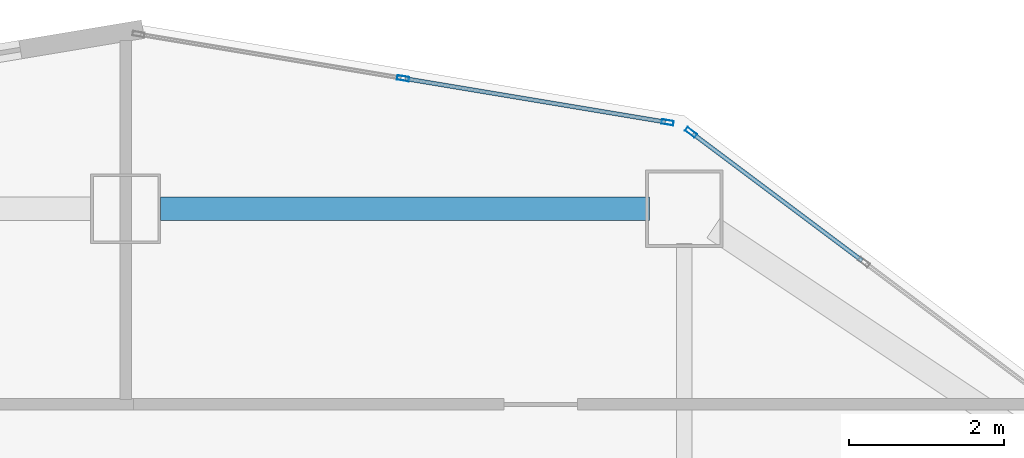
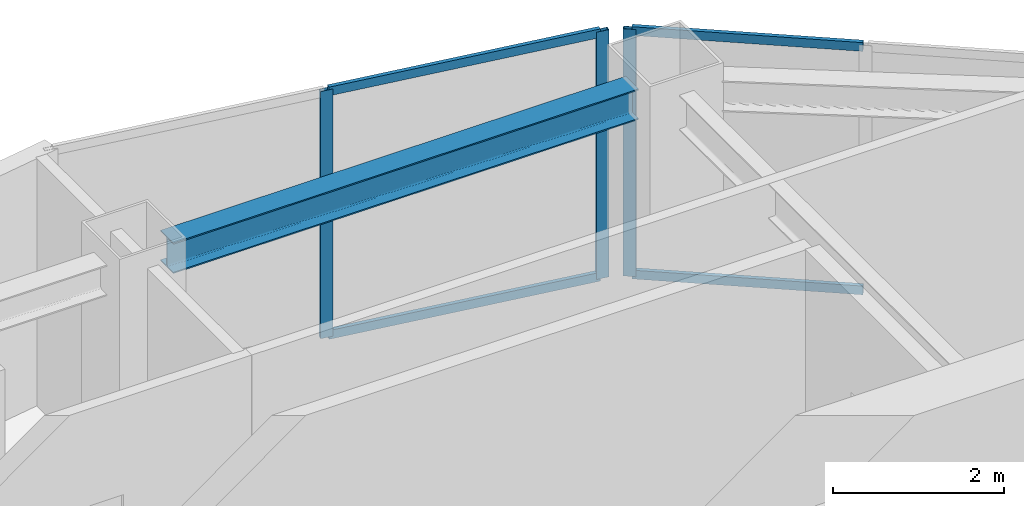
# One storey, part 4 of 15: 7 members, 1 beam, 2 elements without a shape of their own.
"""IFC4 building model written with IfcOpenShell, lengths in metres."""

from ifc_helpers import new_model, si_unit, direction, frame, origin, origin_2d, place, context, subcontext, project, spatial, hollow_rectangle, i_section, extrude, material, layer, layer_set, material_profile, profile_set, type_object, element, aggregate, save


model = new_model("IFC4")

# Units and contexts
model_context = context("Model", 3, precision=1e-05, world=origin(), true_north=direction((0.0, 1.0)))
body_context = subcontext(model_context, "Body", "Model", "MODEL_VIEW")
ifc_project = project(units=[si_unit("LENGTHUNIT", "METRE"), si_unit("AREAUNIT", "SQUARE_METRE"), si_unit("VOLUMEUNIT", "CUBIC_METRE"), si_unit("PLANEANGLEUNIT", "RADIAN"), si_unit("MASSUNIT", "GRAM", prefix="KILO")], contexts=[model_context])

# Site, building, storey
site_placement = place(None, origin())
site = spatial("IfcSite", under=ifc_project, at=site_placement, CompositionType="ELEMENT")
building_placement = place(site_placement, origin())
building = spatial("IfcBuilding", under=site, at=building_placement, Name="Haolan Belvedere Tower", CompositionType="ELEMENT")
storey_placement = place(building_placement, frame((0.0, 0.0, 156.199951171875)))
storey = spatial("IfcBuildingStorey", under=building, at=storey_placement, Name="L39", CompositionType="ELEMENT", Elevation=156.199951171875)

# Beam
ifc_material_1 = material(Name="Steel Q355B", Category="steel")
ifc_material_profile_1 = material_profile(ifc_material_1, i_section(OverallWidth=0.300048828125, OverallDepth=0.43994140625, WebThickness=0.010986328125, FlangeThickness=0.01806640625, FilletRadius=0.02392578125, at=origin_2d()), Name="Steel Q355B")
ifc_profile_set_1 = profile_set([ifc_material_profile_1], Name="Steel Q355B")
beam_type = type_object("IfcBeamType", Name="BM-HM440x300x11x18", PredefinedType="SPANDREL", material=ifc_profile_set_1)
beam_placement = place(storey_placement, frame((38.85009765625, 50.39990234375, 3.320068359375), z_axis=(1.0, 0.0, 0.0), x_axis=(0.0, 1.0, 0.0)))
element("IfcBeam", 1, at=beam_placement, inside=storey, type_object=beam_type, Name="L39 spandrel girder TC-T3-NM-MC-T3-N2", PredefinedType="SPANDREL", context=body_context, shape_type="SweptSolid", body=[
    extrude(i_section(OverallWidth=0.300048828125, OverallDepth=0.43994140625, WebThickness=0.010986328125, FlangeThickness=0.01806640625, FilletRadius=0.02392578125, at=origin_2d()), origin(), (0.0, 0.0, 1.0), 6.2998046875),
])

# Curtain wall, member
ifc_material_2 = material(Name="Anodised champagne-silver aluminium 6063-T6 and Low-E glass", Category="aluminium")
ifc_layer = layer(ifc_material_2, 0.155029296875, Name="Anodised champagne-silver aluminium 6063-T6 and Low-E glass")
ifc_layer_set = layer_set([ifc_layer], Name="Anodised champagne-silver aluminium 6063-T6 and Low-E glass")
curtain_wall_type = type_object("IfcCurtainWallType", Name="CW-SYS-03", PredefinedType="NOTDEFINED", material=ifc_layer_set)
curtain_wall_1_placement = place(storey_placement, origin())
curtain_wall_1 = element("IfcCurtainWall", 2, at=curtain_wall_1_placement, inside=storey, type_object=curtain_wall_type, Name="L39 CW-SYS-03 ribbon curtain wall 26.1", PredefinedType="NOTDEFINED")
ifc_material_3 = material(Name="Anodised aluminium 6063-T6", Category="aluminium")
ifc_material_profile_2 = material_profile(ifc_material_3, hollow_rectangle(XDim=0.05810546875, YDim=0.155029296875, WallThickness=0.00390625, at=origin_2d()), Name="Anodised aluminium 6063-T6")
ifc_profile_set_2 = profile_set([ifc_material_profile_2], Name="Anodised aluminium 6063-T6")
member_type_1 = type_object("IfcMemberType", Name="CW-SYS-03-MUL", PredefinedType="MULLION", material=ifc_profile_set_2)
member_1_placement = place(storey_placement, frame((45.6865234375, 51.385009765625, 0.0), z_axis=(0.0, 0.0, 1.0), x_axis=(-0.599994316874, -0.800004262313, 0.0)))
member_1 = element("IfcMember", 3, at=member_1_placement, type_object=member_type_1, Name="CW-03 mullion 3", PredefinedType="MULLION", context=body_context, shape_type="SweptSolid", body=[
    extrude(hollow_rectangle(XDim=0.05810546875, YDim=0.155029296875, WallThickness=0.00390625, at=origin_2d()), origin(), (0.0, 0.0, 1.0), 3.5400390625),
])

# Curtain wall, members
curtain_wall_2_placement = place(storey_placement, origin())
curtain_wall_2 = element("IfcCurtainWall", 4, at=curtain_wall_2_placement, inside=storey, type_object=curtain_wall_type, Name="L39 CW-SYS-03 ribbon curtain wall 27.1", PredefinedType="NOTDEFINED")
member_2_placement = place(storey_placement, frame((45.384765625, 51.51416015625, 0.0), z_axis=(0.0, 0.0, 1.0), x_axis=(-0.16440364043, -0.9863931483, 0.0)))
member_2 = element("IfcMember", 5, at=member_2_placement, type_object=member_type_1, Name="CW-03 mullion 1", PredefinedType="MULLION", context=body_context, shape_type="SweptSolid", body=[
    extrude(hollow_rectangle(XDim=0.05810546875, YDim=0.155029296875, WallThickness=0.00390625, at=origin_2d()), origin(), (0.0, 0.0, 1.0), 3.5400390625),
])
member_3_placement = place(storey_placement, frame((41.9755859375, 52.082275390625, 0.0), z_axis=(0.0, 0.0, 1.0), x_axis=(-0.16440364043, -0.9863931483, 0.0)))
member_3 = element("IfcMember", 6, at=member_3_placement, type_object=member_type_1, Name="CW-03 mullion 2", PredefinedType="MULLION", context=body_context, shape_type="SweptSolid", body=[
    extrude(hollow_rectangle(XDim=0.05810546875, YDim=0.155029296875, WallThickness=0.00390625, at=origin_2d()), origin(), (0.0, 0.0, 1.0), 3.5400390625),
])

# Member
ifc_material_profile_3 = material_profile(ifc_material_3, hollow_rectangle(XDim=0.053955078125, YDim=0.125, WallThickness=0.00390625, at=origin_2d()), Name="Anodised aluminium 6063-T6")
ifc_profile_set_3 = profile_set([ifc_material_profile_3], Name="Anodised aluminium 6063-T6")
member_type_2 = type_object("IfcMemberType", Name="CW-SYS-03-TRN", PredefinedType="USERDEFINED", material=ifc_profile_set_3)
member_4_placement = place(storey_placement, frame((47.892578125, 49.730712890625, 0.027099609375), z_axis=(-0.800032211306, 0.59995704919, 0.0), x_axis=(-0.59995704919, -0.800032211306, 0.0)))
member_4 = element("IfcMember", 7, at=member_4_placement, type_object=member_type_2, Name="CW-03 transom 2.1", ObjectType="TRANSOM", PredefinedType="USERDEFINED", context=body_context, shape_type="SweptSolid", body=[
    extrude(hollow_rectangle(XDim=0.053955078125, YDim=0.125, WallThickness=0.00390625, at=origin_2d()), origin(), (0.0, 0.0, 1.0), 2.728515625),
])

member_5_placement = place(storey_placement, frame((47.892578125, 49.730712890625, 3.512939453125), z_axis=(-0.800032211306, 0.59995704919, 0.0), x_axis=(-0.59995704919, -0.800032211306, 0.0)))
member_5 = element("IfcMember", 8, at=member_5_placement, type_object=member_type_2, Name="CW-03 transom 2.2", ObjectType="TRANSOM", PredefinedType="USERDEFINED", context=body_context, shape_type="SweptSolid", body=[
    extrude(hollow_rectangle(XDim=0.053955078125, YDim=0.125, WallThickness=0.00390625, at=origin_2d()), origin(), (0.0, 0.0, 1.0), 2.728515625),
])

aggregate(curtain_wall_1, [member_1, member_4, member_5])

member_6_placement = place(storey_placement, frame((45.356201171875, 51.51904296875, 0.027099609375), z_axis=(-0.986395865591, 0.16438733633, 0.0), x_axis=(-0.16438733633, -0.986395865591, 0.0)))
member_6 = element("IfcMember", 9, at=member_6_placement, type_object=member_type_2, Name="CW-03 transom 1.1", ObjectType="TRANSOM", PredefinedType="USERDEFINED", context=body_context, shape_type="SweptSolid", body=[
    extrude(hollow_rectangle(XDim=0.053955078125, YDim=0.125, WallThickness=0.00390625, at=origin_2d()), origin(), (0.0, 0.0, 1.0), 3.39794921875),
])

member_7_placement = place(storey_placement, frame((45.356201171875, 51.51904296875, 3.512939453125), z_axis=(-0.986395865591, 0.16438733633, 0.0), x_axis=(-0.16438733633, -0.986395865591, 0.0)))
member_7 = element("IfcMember", 10, at=member_7_placement, type_object=member_type_2, Name="CW-03 transom 1.2", ObjectType="TRANSOM", PredefinedType="USERDEFINED", context=body_context, shape_type="SweptSolid", body=[
    extrude(hollow_rectangle(XDim=0.053955078125, YDim=0.125, WallThickness=0.00390625, at=origin_2d()), origin(), (0.0, 0.0, 1.0), 3.39794921875),
])

aggregate(curtain_wall_2, [member_2, member_3, member_6, member_7])

save(model, "model.ifc")
